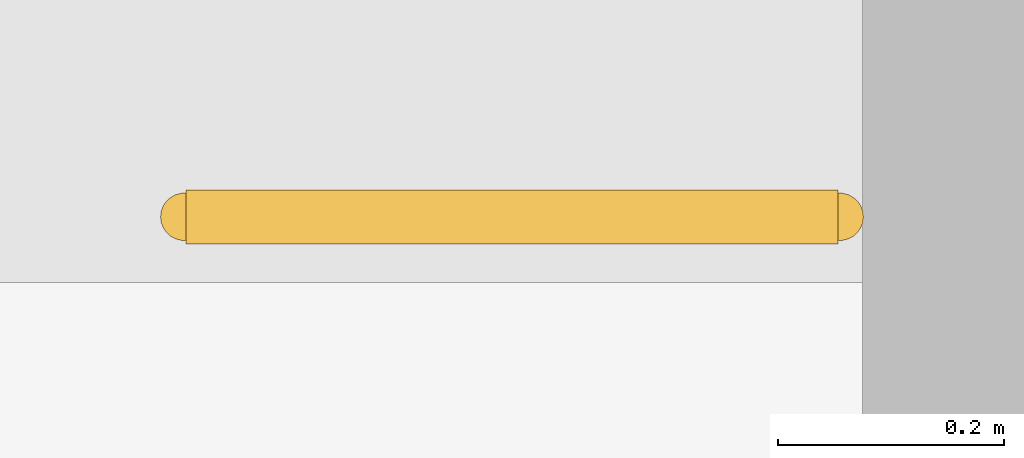
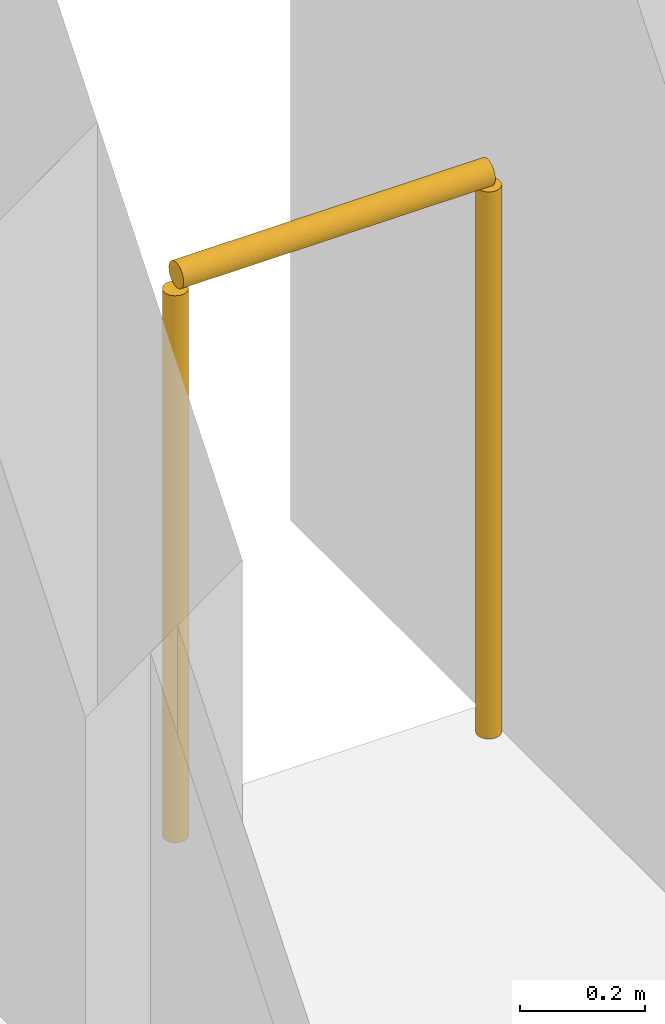
# One storey, part 90 of 90: 1 railing.
"""IFC4 building model written with IfcOpenShell, lengths in metres."""

from ifc_helpers import new_model, si_unit, direction, frame, origin, origin_2d, place, context, subcontext, project, spatial, circle, extrude, material, type_object, element, save


model = new_model("IFC4")

# Units and contexts
model_context = context("Model", 3, precision=1e-05, world=origin(), true_north=direction((0.0, 1.0)))
body_context = subcontext(model_context, "Body", "Model", "MODEL_VIEW")
ifc_project = project(units=[si_unit("LENGTHUNIT", "METRE"), si_unit("AREAUNIT", "SQUARE_METRE"), si_unit("VOLUMEUNIT", "CUBIC_METRE"), si_unit("PLANEANGLEUNIT", "RADIAN"), si_unit("MASSUNIT", "GRAM", prefix="KILO")], contexts=[model_context])

# Site, building, storey
site_placement = place(None, origin())
site = spatial("IfcSite", under=ifc_project, at=site_placement, CompositionType="ELEMENT")
building_placement = place(site_placement, origin())
building = spatial("IfcBuilding", under=site, at=building_placement, Name="Brinegate Civic Arena", CompositionType="ELEMENT")
storey_placement = place(building_placement, frame((0.0, 0.0, 14.699951171875)))
storey = spatial("IfcBuildingStorey", under=building, at=storey_placement, Name="L03", CompositionType="ELEMENT", Elevation=14.699951171875)

# Railing
ifc_material = material(Name="Architectural stainless steel balustrade", Category="steel")
railing_type = type_object("IfcRailingType", Name="RAIL-VOID-BALUSTRADE-1120", PredefinedType="BALUSTRADE", material=ifc_material)
railing_placement = place(storey_placement, frame((166.800048828125, 113.929931640625, 0.0)))
element("IfcRailing", 1, at=railing_placement, inside=storey, type_object=railing_type, Name="Deck Edge Balustrade L03-252", PredefinedType="BALUSTRADE", context=body_context, shape_type="SweptSolid", body=[
    extrude(circle(Radius=0.02392578125, at=origin_2d()), frame((0.00146484375, 0.0, 1.09619140625), z_axis=(1.0, 0.0, 0.0), x_axis=(0.0, 1.0, 0.0)), (0.0, 0.0, 1.0), 0.576904296875),
    extrude(circle(Radius=0.02099609375, at=origin_2d()), origin(), (0.0, 0.0, 1.0), 1.070068359375),
    extrude(circle(Radius=0.02099609375, at=origin_2d()), frame((0.579833984375, 0.0, 0.0)), (0.0, 0.0, 1.0), 1.070068359375),
])

save(model, "model.ifc")
